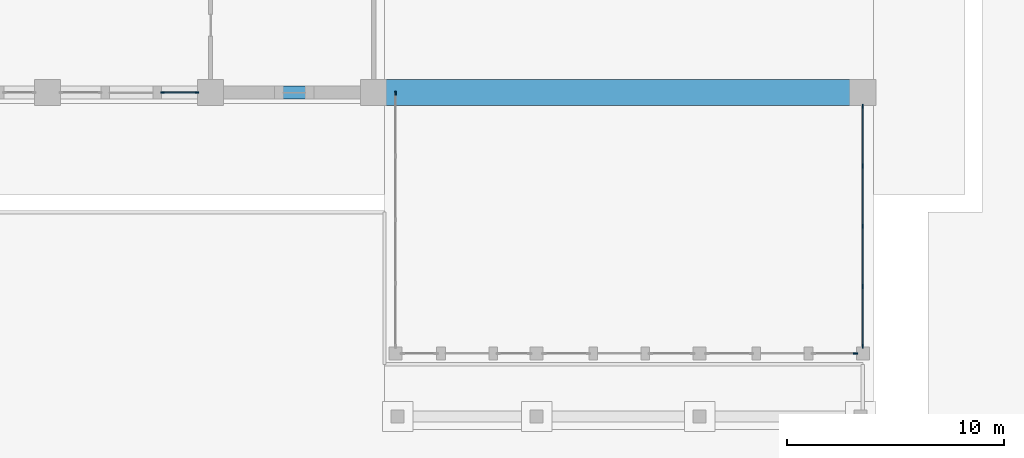
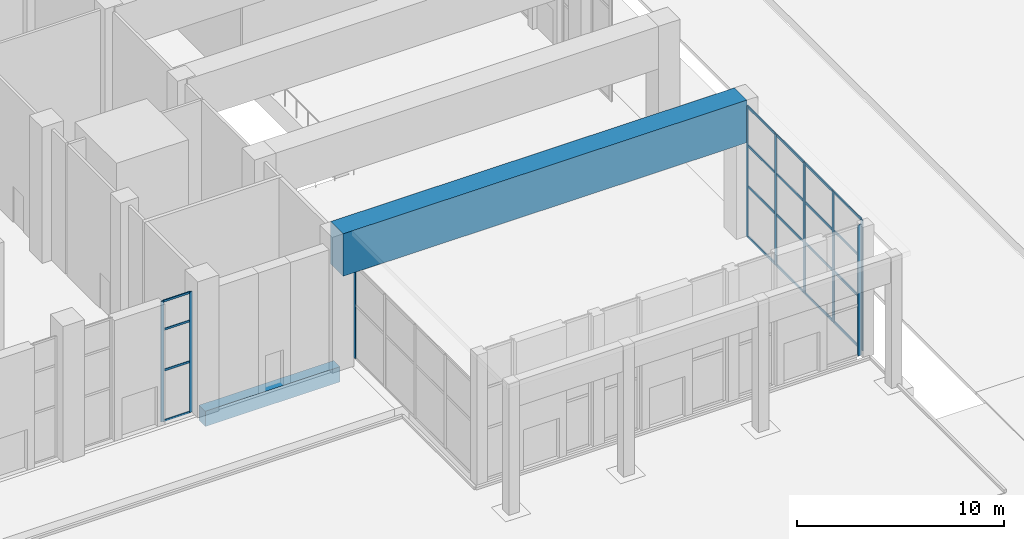
# One storey, part 9 of 57: 29 members, 2 beams, 4 elements without a shape of their own.
"""IFC4 building model written with IfcOpenShell, lengths in metres."""

from ifc_helpers import new_model, si_unit, direction, frame, origin, origin_2d, place, context, subcontext, project, spatial, rectangle, extrude, material, layer, layer_set, material_profile, profile_set, type_object, element, aggregate, save


model = new_model("IFC4")

# Units and contexts
model_context = context("Model", 3, precision=1e-05, world=origin(), true_north=direction((0.0, 1.0)))
body_context = subcontext(model_context, "Body", "Model", "MODEL_VIEW")
ifc_project = project(units=[si_unit("LENGTHUNIT", "METRE"), si_unit("AREAUNIT", "SQUARE_METRE"), si_unit("VOLUMEUNIT", "CUBIC_METRE"), si_unit("PLANEANGLEUNIT", "RADIAN"), si_unit("MASSUNIT", "GRAM", prefix="KILO")], contexts=[model_context])

# Site, building, storey
site_placement = place(None, origin())
site = spatial("IfcSite", under=ifc_project, at=site_placement, CompositionType="ELEMENT")
building_placement = place(site_placement, origin())
building = spatial("IfcBuilding", under=site, at=building_placement, Name="Tamorin Gate", CompositionType="ELEMENT")
storey_placement = place(building_placement, origin())
storey = spatial("IfcBuildingStorey", under=building, at=storey_placement, Name="L00", CompositionType="ELEMENT", Elevation=0.0)

# Curtain wall, member
ifc_material_1 = material(Name="Aluminium and glass", Category="aluminium")
ifc_layer_1 = layer(ifc_material_1, 0.199951171875)
ifc_layer_set_1 = layer_set([ifc_layer_1], Name="Station pavilion glazing system")
curtain_wall_type_1 = type_object("IfcCurtainWallType", Name="Station pavilion glazing system", PredefinedType="NOTDEFINED", material=ifc_layer_set_1)
curtain_wall_1_placement = place(storey_placement, origin())
curtain_wall_1 = element("IfcCurtainWall", 1, at=curtain_wall_1_placement, inside=storey, type_object=curtain_wall_type_1, Name="Station pavilion glazing system L00", PredefinedType="NOTDEFINED")
ifc_material_2 = material(Name="Aluminium", Category="aluminium")
ifc_material_profile_1 = material_profile(ifc_material_2, rectangle(XDim=0.06005859375, YDim=0.199951171875, at=origin_2d()), Name="RECT 60x200")
ifc_profile_set_1 = profile_set([ifc_material_profile_1], Name="Aluminium")
member_type_1 = type_object("IfcMemberType", Name="Pavilion mullion 60x200", PredefinedType="MULLION", material=ifc_profile_set_1)
member_1_placement = place(storey_placement, frame((111.669921875, 18.5, 0.0), z_axis=(0.0, 0.0, 1.0), x_axis=(0.0, 1.0, 0.0)))
member_1 = element("IfcMember", 2, at=member_1_placement, type_object=member_type_1, Name="CWP12 mullion 2", PredefinedType="MULLION", context=body_context, shape_type="SweptSolid", body=[
    extrude(rectangle(XDim=0.06005859375, YDim=0.199951171875, at=origin_2d()), origin(), (0.0, 0.0, 1.0), 7.699951171875),
])
aggregate(curtain_wall_1, [member_1])

# Curtain wall, members
curtain_wall_2_placement = place(storey_placement, origin())
curtain_wall_2 = element("IfcCurtainWall", 3, at=curtain_wall_2_placement, inside=storey, type_object=curtain_wall_type_1, Name="Station pavilion glazing system L00", PredefinedType="NOTDEFINED")
member_2_placement = place(storey_placement, frame((112.0, 18.830078125, 0.0), z_axis=(0.0, 0.0, 1.0), x_axis=(-1.0, 0.0, 0.0)))
member_2 = element("IfcMember", 4, at=member_2_placement, type_object=member_type_1, Name="CWP12 mullion 1", PredefinedType="MULLION", context=body_context, shape_type="SweptSolid", body=[
    extrude(rectangle(XDim=0.06005859375, YDim=0.199951171875, at=origin_2d()), origin(), (0.0, 0.0, 1.0), 7.699951171875),
])
member_3_placement = place(storey_placement, frame((112.0, 21.574951171875, 0.0), z_axis=(0.0, 0.0, 1.0), x_axis=(-1.0, 0.0, 0.0)))
member_3 = element("IfcMember", 5, at=member_3_placement, type_object=member_type_1, Name="CWP12 mullion 2", PredefinedType="MULLION", context=body_context, shape_type="SweptSolid", body=[
    extrude(rectangle(XDim=0.06005859375, YDim=0.199951171875, at=origin_2d()), origin(), (0.0, 0.0, 1.0), 7.699951171875),
])
member_4_placement = place(storey_placement, frame((112.0, 24.35009765625, 0.0), z_axis=(0.0, 0.0, 1.0), x_axis=(-1.0, 0.0, 0.0)))
member_4 = element("IfcMember", 6, at=member_4_placement, type_object=member_type_1, Name="CWP12 mullion 3", PredefinedType="MULLION", context=body_context, shape_type="SweptSolid", body=[
    extrude(rectangle(XDim=0.06005859375, YDim=0.199951171875, at=origin_2d()), origin(), (0.0, 0.0, 1.0), 7.699951171875),
])
member_5_placement = place(storey_placement, frame((112.0, 27.125, 0.0), z_axis=(0.0, 0.0, 1.0), x_axis=(-1.0, 0.0, 0.0)))
member_5 = element("IfcMember", 7, at=member_5_placement, type_object=member_type_1, Name="CWP12 mullion 4", PredefinedType="MULLION", context=body_context, shape_type="SweptSolid", body=[
    extrude(rectangle(XDim=0.06005859375, YDim=0.199951171875, at=origin_2d()), origin(), (0.0, 0.0, 1.0), 7.699951171875),
])
member_6_placement = place(storey_placement, frame((112.0, 29.8701171875, 0.0), z_axis=(0.0, 0.0, 1.0), x_axis=(-1.0, 0.0, 0.0)))
member_6 = element("IfcMember", 8, at=member_6_placement, type_object=member_type_1, Name="CWP12 mullion 5", PredefinedType="MULLION", context=body_context, shape_type="SweptSolid", body=[
    extrude(rectangle(XDim=0.06005859375, YDim=0.199951171875, at=origin_2d()), origin(), (0.0, 0.0, 1.0), 7.699951171875),
])

# Curtain wall, member
curtain_wall_3_placement = place(storey_placement, origin())
curtain_wall_3 = element("IfcCurtainWall", 9, at=curtain_wall_3_placement, inside=storey, type_object=curtain_wall_type_1, Name="Station pavilion glazing system L00", PredefinedType="NOTDEFINED")
member_7_placement = place(storey_placement, frame((90.5, 30.469970703125, 0.0), z_axis=(0.0, 0.0, 1.0), x_axis=(-1.0, 0.0, 0.0)))
member_7 = element("IfcMember", 10, at=member_7_placement, type_object=member_type_1, Name="CWP12 mullion 5", PredefinedType="MULLION", context=body_context, shape_type="SweptSolid", body=[
    extrude(rectangle(XDim=0.06005859375, YDim=0.199951171875, at=origin_2d()), origin(), (0.0, 0.0, 1.0), 5.5),
])
aggregate(curtain_wall_3, [member_7])

# Member
ifc_material_profile_2 = material_profile(ifc_material_2, rectangle(XDim=0.06005859375, YDim=0.139892578125, at=origin_2d()), Name="RECT 60x140")
ifc_profile_set_2 = profile_set([ifc_material_profile_2], Name="Aluminium")
member_type_2 = type_object("IfcMemberType", Name="Pavilion transom 60x140", PredefinedType="USERDEFINED", material=ifc_profile_set_2)
member_8_placement = place(storey_placement, frame((112.0, 18.860107421875, 0.030029296875), z_axis=(0.0, 1.0, 0.0), x_axis=(-1.0, 0.0, 0.0)))
member_8 = element("IfcMember", 11, at=member_8_placement, type_object=member_type_2, Name="CWP12 transom 1.1", ObjectType="TRANSOM", PredefinedType="USERDEFINED", context=body_context, shape_type="SweptSolid", body=[
    extrude(rectangle(XDim=0.06005859375, YDim=0.139892578125, at=origin_2d()), origin(), (0.0, 0.0, 1.0), 2.684814453125),
])

member_9_placement = place(storey_placement, frame((112.0, 18.860107421875, 3.0), z_axis=(0.0, 1.0, 0.0), x_axis=(-1.0, 0.0, 0.0)))
member_9 = element("IfcMember", 12, at=member_9_placement, type_object=member_type_2, Name="CWP12 transom 1.2", ObjectType="TRANSOM", PredefinedType="USERDEFINED", context=body_context, shape_type="SweptSolid", body=[
    extrude(rectangle(XDim=0.06005859375, YDim=0.139892578125, at=origin_2d()), origin(), (0.0, 0.0, 1.0), 2.684814453125),
])

member_10_placement = place(storey_placement, frame((112.0, 18.860107421875, 5.39990234375), z_axis=(0.0, 1.0, 0.0), x_axis=(-1.0, 0.0, 0.0)))
member_10 = element("IfcMember", 13, at=member_10_placement, type_object=member_type_2, Name="CWP12 transom 1.3", ObjectType="TRANSOM", PredefinedType="USERDEFINED", context=body_context, shape_type="SweptSolid", body=[
    extrude(rectangle(XDim=0.06005859375, YDim=0.139892578125, at=origin_2d()), origin(), (0.0, 0.0, 1.0), 2.684814453125),
])

member_11_placement = place(storey_placement, frame((112.0, 18.860107421875, 7.669921875), z_axis=(0.0, 1.0, 0.0), x_axis=(-1.0, 0.0, 0.0)))
member_11 = element("IfcMember", 14, at=member_11_placement, type_object=member_type_2, Name="CWP12 transom 1.4", ObjectType="TRANSOM", PredefinedType="USERDEFINED", context=body_context, shape_type="SweptSolid", body=[
    extrude(rectangle(XDim=0.06005859375, YDim=0.139892578125, at=origin_2d()), origin(), (0.0, 0.0, 1.0), 2.684814453125),
])

member_12_placement = place(storey_placement, frame((112.0, 21.60498046875, 0.030029296875), z_axis=(0.0, 1.0, 0.0), x_axis=(-1.0, 0.0, 0.0)))
member_12 = element("IfcMember", 15, at=member_12_placement, type_object=member_type_2, Name="CWP12 transom 2.1", ObjectType="TRANSOM", PredefinedType="USERDEFINED", context=body_context, shape_type="SweptSolid", body=[
    extrude(rectangle(XDim=0.06005859375, YDim=0.139892578125, at=origin_2d()), origin(), (0.0, 0.0, 1.0), 2.715087890625),
])

member_13_placement = place(storey_placement, frame((112.0, 21.60498046875, 3.0), z_axis=(0.0, 1.0, 0.0), x_axis=(-1.0, 0.0, 0.0)))
member_13 = element("IfcMember", 16, at=member_13_placement, type_object=member_type_2, Name="CWP12 transom 2.2", ObjectType="TRANSOM", PredefinedType="USERDEFINED", context=body_context, shape_type="SweptSolid", body=[
    extrude(rectangle(XDim=0.06005859375, YDim=0.139892578125, at=origin_2d()), origin(), (0.0, 0.0, 1.0), 2.715087890625),
])

member_14_placement = place(storey_placement, frame((112.0, 21.60498046875, 5.39990234375), z_axis=(0.0, 1.0, 0.0), x_axis=(-1.0, 0.0, 0.0)))
member_14 = element("IfcMember", 17, at=member_14_placement, type_object=member_type_2, Name="CWP12 transom 2.3", ObjectType="TRANSOM", PredefinedType="USERDEFINED", context=body_context, shape_type="SweptSolid", body=[
    extrude(rectangle(XDim=0.06005859375, YDim=0.139892578125, at=origin_2d()), origin(), (0.0, 0.0, 1.0), 2.715087890625),
])

member_15_placement = place(storey_placement, frame((112.0, 21.60498046875, 7.669921875), z_axis=(0.0, 1.0, 0.0), x_axis=(-1.0, 0.0, 0.0)))
member_15 = element("IfcMember", 18, at=member_15_placement, type_object=member_type_2, Name="CWP12 transom 2.4", ObjectType="TRANSOM", PredefinedType="USERDEFINED", context=body_context, shape_type="SweptSolid", body=[
    extrude(rectangle(XDim=0.06005859375, YDim=0.139892578125, at=origin_2d()), origin(), (0.0, 0.0, 1.0), 2.715087890625),
])

member_16_placement = place(storey_placement, frame((112.0, 24.3798828125, 0.030029296875), z_axis=(0.0, 1.0, 0.0), x_axis=(-1.0, 0.0, 0.0)))
member_16 = element("IfcMember", 19, at=member_16_placement, type_object=member_type_2, Name="CWP12 transom 3.1", ObjectType="TRANSOM", PredefinedType="USERDEFINED", context=body_context, shape_type="SweptSolid", body=[
    extrude(rectangle(XDim=0.06005859375, YDim=0.139892578125, at=origin_2d()), origin(), (0.0, 0.0, 1.0), 2.715087890625),
])

member_17_placement = place(storey_placement, frame((112.0, 24.3798828125, 3.0), z_axis=(0.0, 1.0, 0.0), x_axis=(-1.0, 0.0, 0.0)))
member_17 = element("IfcMember", 20, at=member_17_placement, type_object=member_type_2, Name="CWP12 transom 3.2", ObjectType="TRANSOM", PredefinedType="USERDEFINED", context=body_context, shape_type="SweptSolid", body=[
    extrude(rectangle(XDim=0.06005859375, YDim=0.139892578125, at=origin_2d()), origin(), (0.0, 0.0, 1.0), 2.715087890625),
])

member_18_placement = place(storey_placement, frame((112.0, 24.3798828125, 5.39990234375), z_axis=(0.0, 1.0, 0.0), x_axis=(-1.0, 0.0, 0.0)))
member_18 = element("IfcMember", 21, at=member_18_placement, type_object=member_type_2, Name="CWP12 transom 3.3", ObjectType="TRANSOM", PredefinedType="USERDEFINED", context=body_context, shape_type="SweptSolid", body=[
    extrude(rectangle(XDim=0.06005859375, YDim=0.139892578125, at=origin_2d()), origin(), (0.0, 0.0, 1.0), 2.715087890625),
])

member_19_placement = place(storey_placement, frame((112.0, 24.3798828125, 7.669921875), z_axis=(0.0, 1.0, 0.0), x_axis=(-1.0, 0.0, 0.0)))
member_19 = element("IfcMember", 22, at=member_19_placement, type_object=member_type_2, Name="CWP12 transom 3.4", ObjectType="TRANSOM", PredefinedType="USERDEFINED", context=body_context, shape_type="SweptSolid", body=[
    extrude(rectangle(XDim=0.06005859375, YDim=0.139892578125, at=origin_2d()), origin(), (0.0, 0.0, 1.0), 2.715087890625),
])

member_20_placement = place(storey_placement, frame((112.0, 27.155029296875, 0.030029296875), z_axis=(0.0, 1.0, 0.0), x_axis=(-1.0, 0.0, 0.0)))
member_20 = element("IfcMember", 23, at=member_20_placement, type_object=member_type_2, Name="CWP12 transom 4.1", ObjectType="TRANSOM", PredefinedType="USERDEFINED", context=body_context, shape_type="SweptSolid", body=[
    extrude(rectangle(XDim=0.06005859375, YDim=0.139892578125, at=origin_2d()), origin(), (0.0, 0.0, 1.0), 2.68505859375),
])

member_21_placement = place(storey_placement, frame((112.0, 27.155029296875, 3.0), z_axis=(0.0, 1.0, 0.0), x_axis=(-1.0, 0.0, 0.0)))
member_21 = element("IfcMember", 24, at=member_21_placement, type_object=member_type_2, Name="CWP12 transom 4.2", ObjectType="TRANSOM", PredefinedType="USERDEFINED", context=body_context, shape_type="SweptSolid", body=[
    extrude(rectangle(XDim=0.06005859375, YDim=0.139892578125, at=origin_2d()), origin(), (0.0, 0.0, 1.0), 2.68505859375),
])

member_22_placement = place(storey_placement, frame((112.0, 27.155029296875, 5.39990234375), z_axis=(0.0, 1.0, 0.0), x_axis=(-1.0, 0.0, 0.0)))
member_22 = element("IfcMember", 25, at=member_22_placement, type_object=member_type_2, Name="CWP12 transom 4.3", ObjectType="TRANSOM", PredefinedType="USERDEFINED", context=body_context, shape_type="SweptSolid", body=[
    extrude(rectangle(XDim=0.06005859375, YDim=0.139892578125, at=origin_2d()), origin(), (0.0, 0.0, 1.0), 2.68505859375),
])

member_23_placement = place(storey_placement, frame((112.0, 27.155029296875, 7.669921875), z_axis=(0.0, 1.0, 0.0), x_axis=(-1.0, 0.0, 0.0)))
member_23 = element("IfcMember", 26, at=member_23_placement, type_object=member_type_2, Name="CWP12 transom 4.4", ObjectType="TRANSOM", PredefinedType="USERDEFINED", context=body_context, shape_type="SweptSolid", body=[
    extrude(rectangle(XDim=0.06005859375, YDim=0.139892578125, at=origin_2d()), origin(), (0.0, 0.0, 1.0), 2.68505859375),
])

aggregate(curtain_wall_2, [member_2, member_3, member_4, member_5, member_6, member_8, member_9, member_10, member_11, member_12, member_13, member_14, member_15, member_16, member_17, member_18, member_19, member_20, member_21, member_22, member_23])

# Beams
ifc_material_3 = material(Name="Concrete C50/60", Category="concrete")
ifc_material_profile_3 = material_profile(ifc_material_3, rectangle(XDim=0.60009765625, YDim=0.89990234375, at=origin_2d()), Name="RC 600x900")
ifc_profile_set_3 = profile_set([ifc_material_profile_3], Name="Concrete C50/60")
beam_type_1 = type_object("IfcBeamType", Name="RC spandrel 600x900 C50/60", PredefinedType="BEAM", material=ifc_profile_set_3)
beam_1_placement = place(storey_placement, frame((82.0, 30.5, -0.449951171875), z_axis=(1.0, 0.0, 0.0), x_axis=(0.0, 1.0, 0.0)))
element("IfcBeam", 27, at=beam_1_placement, inside=storey, type_object=beam_type_1, Name="Spandrel beam L00", PredefinedType="BEAM", context=body_context, shape_type="SweptSolid", body=[
    extrude(rectangle(XDim=0.60009765625, YDim=0.89990234375, at=origin_2d()), origin(), (0.0, 0.0, 1.0), 7.5),
])
ifc_material_4 = material(Name="Concrete C60/75", Category="concrete")
ifc_material_profile_4 = material_profile(ifc_material_4, rectangle(XDim=1.199951171875, YDim=2.5, at=origin_2d()), Name="RC 1200x2500")
ifc_profile_set_4 = profile_set([ifc_material_profile_4], Name="Concrete C60/75")
beam_type_2 = type_object("IfcBeamType", Name="RC transfer girder 1200x2500 C60/75", PredefinedType="BEAM", material=ifc_profile_set_4)
beam_2_placement = place(storey_placement, frame((89.5, 30.5, 6.75), z_axis=(1.0, 0.0, 0.0), x_axis=(0.0, 1.0, 0.0)))
element("IfcBeam", 28, at=beam_2_placement, inside=storey, type_object=beam_type_2, Name="Transfer girder L00", PredefinedType="BEAM", context=body_context, shape_type="SweptSolid", body=[
    extrude(rectangle(XDim=1.199951171875, YDim=2.5, at=origin_2d()), origin(), (0.0, 0.0, 1.0), 22.5),
])

# Curtain wall, members
ifc_layer_2 = layer(ifc_material_1, 0.199951171875)
ifc_layer_set_2 = layer_set([ifc_layer_2], Name="Retail storefront system")
curtain_wall_type_2 = type_object("IfcCurtainWallType", Name="Retail storefront system", PredefinedType="NOTDEFINED", material=ifc_layer_set_2)
curtain_wall_4_placement = place(storey_placement, origin())
curtain_wall_4 = element("IfcCurtainWall", 29, at=curtain_wall_4_placement, inside=storey, type_object=curtain_wall_type_2, Name="Retail storefront system L00", PredefinedType="NOTDEFINED")
ifc_material_profile_5 = material_profile(ifc_material_2, rectangle(XDim=0.06005859375, YDim=0.159912109375, at=origin_2d()), Name="RECT 60x160")
ifc_profile_set_5 = profile_set([ifc_material_profile_5], Name="Aluminium")
member_type_3 = type_object("IfcMemberType", Name="Storefront mullion 60x160", PredefinedType="MULLION", material=ifc_profile_set_5)
member_24_placement = place(storey_placement, frame((79.780029296875, 30.5, 0.0), z_axis=(0.0, 0.0, 1.0), x_axis=(0.0, 1.0, 0.0)))
member_24 = element("IfcMember", 30, at=member_24_placement, type_object=member_type_3, Name="CWP10 mullion 1", PredefinedType="MULLION", context=body_context, shape_type="SweptSolid", body=[
    extrude(rectangle(XDim=0.06005859375, YDim=0.159912109375, at=origin_2d()), origin(), (0.0, 0.0, 1.0), 7.10009765625),
])
member_25_placement = place(storey_placement, frame((81.3701171875, 30.5, 0.0), z_axis=(0.0, 0.0, 1.0), x_axis=(0.0, 1.0, 0.0)))
member_25 = element("IfcMember", 31, at=member_25_placement, type_object=member_type_3, Name="CWP10 mullion 2", PredefinedType="MULLION", context=body_context, shape_type="SweptSolid", body=[
    extrude(rectangle(XDim=0.06005859375, YDim=0.159912109375, at=origin_2d()), origin(), (0.0, 0.0, 1.0), 7.10009765625),
])
ifc_material_profile_6 = material_profile(ifc_material_2, rectangle(XDim=0.06005859375, YDim=0.1201171875, at=origin_2d()), Name="RECT 60x120")
ifc_profile_set_6 = profile_set([ifc_material_profile_6], Name="Aluminium")
member_type_4 = type_object("IfcMemberType", Name="Storefront transom 60x120", PredefinedType="USERDEFINED", material=ifc_profile_set_6)
member_26_placement = place(storey_placement, frame((79.81005859375, 30.5, 0.030029296875), z_axis=(1.0, 0.0, 0.0), x_axis=(0.0, 1.0, 0.0)))
member_26 = element("IfcMember", 32, at=member_26_placement, type_object=member_type_4, Name="CWP10 transom 1.1", ObjectType="TRANSOM", PredefinedType="USERDEFINED", context=body_context, shape_type="SweptSolid", body=[
    extrude(rectangle(XDim=0.06005859375, YDim=0.1201171875, at=origin_2d()), origin(), (0.0, 0.0, 1.0), 1.530029296875),
])
member_27_placement = place(storey_placement, frame((79.81005859375, 30.5, 3.0), z_axis=(1.0, 0.0, 0.0), x_axis=(0.0, 1.0, 0.0)))
member_27 = element("IfcMember", 33, at=member_27_placement, type_object=member_type_4, Name="CWP10 transom 1.2", ObjectType="TRANSOM", PredefinedType="USERDEFINED", context=body_context, shape_type="SweptSolid", body=[
    extrude(rectangle(XDim=0.06005859375, YDim=0.1201171875, at=origin_2d()), origin(), (0.0, 0.0, 1.0), 1.530029296875),
])
member_28_placement = place(storey_placement, frame((79.81005859375, 30.5, 5.39990234375), z_axis=(1.0, 0.0, 0.0), x_axis=(0.0, 1.0, 0.0)))
member_28 = element("IfcMember", 34, at=member_28_placement, type_object=member_type_4, Name="CWP10 transom 1.3", ObjectType="TRANSOM", PredefinedType="USERDEFINED", context=body_context, shape_type="SweptSolid", body=[
    extrude(rectangle(XDim=0.06005859375, YDim=0.1201171875, at=origin_2d()), origin(), (0.0, 0.0, 1.0), 1.530029296875),
])
member_29_placement = place(storey_placement, frame((79.81005859375, 30.5, 7.070068359375), z_axis=(1.0, 0.0, 0.0), x_axis=(0.0, 1.0, 0.0)))
member_29 = element("IfcMember", 35, at=member_29_placement, type_object=member_type_4, Name="CWP10 transom 1.4", ObjectType="TRANSOM", PredefinedType="USERDEFINED", context=body_context, shape_type="SweptSolid", body=[
    extrude(rectangle(XDim=0.06005859375, YDim=0.1201171875, at=origin_2d()), origin(), (0.0, 0.0, 1.0), 1.530029296875),
])
aggregate(curtain_wall_4, [member_24, member_25, member_26, member_27, member_28, member_29])

save(model, "model.ifc")
